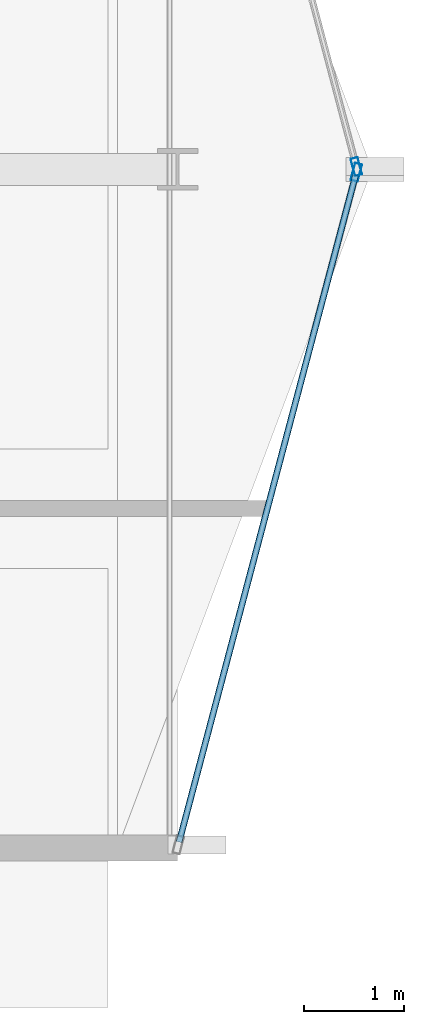
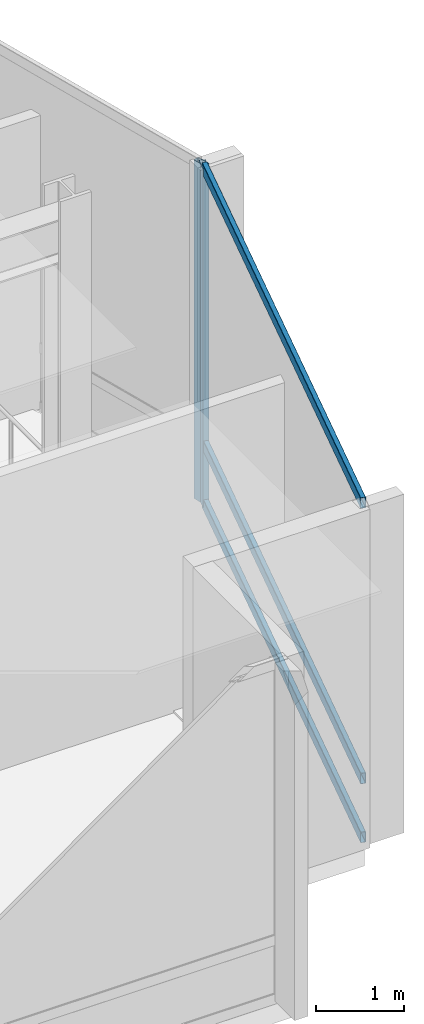
# One storey, part 12 of 29: 5 members, 2 elements without a shape of their own.
"""IFC4 building model written with IfcOpenShell, lengths in metres."""

from ifc_helpers import new_model, si_unit, direction, frame, origin, origin_2d, place, context, subcontext, project, spatial, hollow_rectangle, extrude, material, layer, layer_set, material_profile, profile_set, type_object, element, aggregate, save


model = new_model("IFC4")

# Units and contexts
model_context = context("Model", 3, precision=1e-05, world=origin(), true_north=direction((0.0, 1.0)))
body_context = subcontext(model_context, "Body", "Model", "MODEL_VIEW")
ifc_project = project(units=[si_unit("LENGTHUNIT", "METRE"), si_unit("AREAUNIT", "SQUARE_METRE"), si_unit("VOLUMEUNIT", "CUBIC_METRE"), si_unit("PLANEANGLEUNIT", "RADIAN"), si_unit("MASSUNIT", "GRAM", prefix="KILO")], contexts=[model_context])

# Site, building, storey
site_placement = place(None, origin())
site = spatial("IfcSite", under=ifc_project, at=site_placement, CompositionType="ELEMENT")
building_placement = place(site_placement, origin())
building = spatial("IfcBuilding", under=site, at=building_placement, Name="Solvaryn Broadcast Tower", CompositionType="ELEMENT")
storey_placement = place(building_placement, frame((0.0, 0.0, 169.199951171875)))
storey = spatial("IfcBuildingStorey", under=building, at=storey_placement, Name="L42", CompositionType="ELEMENT", Elevation=169.199951171875)

# Curtain wall, member
ifc_material_1 = material(Name="Aluminium and Terracotta Unitised Curtain Wall", Category="masonry")
ifc_layer = layer(ifc_material_1, 0.25)
ifc_layer_set = layer_set([ifc_layer], Name="CW-SYS4-SKYGARDEN")
curtain_wall_type = type_object("IfcCurtainWallType", Name="CW-SYS4-SKYGARDEN", PredefinedType="NOTDEFINED", material=ifc_layer_set)
curtain_wall_1_placement = place(storey_placement, origin())
curtain_wall_1 = element("IfcCurtainWall", 1, at=curtain_wall_1_placement, inside=storey, type_object=curtain_wall_type, Name="L42 Curtain Wall ET1", PredefinedType="NOTDEFINED")
ifc_material_2 = material(Name="Anodised Aluminium 6063-T6", Category="aluminium")
ifc_material_profile_1 = material_profile(ifc_material_2, hollow_rectangle(XDim=0.074951171875, YDim=0.179931640625, WallThickness=0.00390625, InnerFilletRadius=0.00390625, OuterFilletRadius=0.008056640625, at=origin_2d()))
ifc_profile_set_1 = profile_set([ifc_material_profile_1], Name="Anodised Aluminium 6063-T6")
member_type_1 = type_object("IfcMemberType", Name="CW-MUL-180", PredefinedType="MULLION", material=ifc_profile_set_1)
member_1_placement = place(storey_placement, frame((55.792236328125, 18.029052734375, 0.0), z_axis=(0.0, 0.0, 1.0), x_axis=(0.966705227863, 0.25589256031, 0.0)))
member_1 = element("IfcMember", 2, at=member_1_placement, type_object=member_type_1, Name="CWS4 mullion 2", PredefinedType="MULLION", context=body_context, shape_type="SweptSolid", body=[
    extrude(hollow_rectangle(XDim=0.074951171875, YDim=0.179931640625, WallThickness=0.00390625, InnerFilletRadius=0.00390625, OuterFilletRadius=0.008056640625, at=origin_2d()), origin(), (0.0, 0.0, 1.0), 4.719970703125),
])
aggregate(curtain_wall_1, [member_1])

# Curtain wall, members
curtain_wall_2_placement = place(storey_placement, origin())
curtain_wall_2 = element("IfcCurtainWall", 3, at=curtain_wall_2_placement, inside=storey, type_object=curtain_wall_type, Name="L42 Curtain Wall ET2", PredefinedType="NOTDEFINED")
member_2_placement = place(storey_placement, frame((55.792236328125, 17.970947265625, 0.0), z_axis=(0.0, 0.0, 1.0), x_axis=(0.966705227863, -0.25589256031, 0.0)))
member_2 = element("IfcMember", 4, at=member_2_placement, type_object=member_type_1, Name="CWS4 mullion 1", PredefinedType="MULLION", context=body_context, shape_type="SweptSolid", body=[
    extrude(hollow_rectangle(XDim=0.074951171875, YDim=0.179931640625, WallThickness=0.00390625, InnerFilletRadius=0.00390625, OuterFilletRadius=0.008056640625, at=origin_2d()), origin(), (0.0, 0.0, 1.0), 4.719970703125),
])
ifc_material_3 = material(Name="Anodised Aluminium 6063-T6", Category="aluminium")
ifc_material_profile_2 = material_profile(ifc_material_3, hollow_rectangle(XDim=0.06494140625, YDim=0.14990234375, WallThickness=0.00390625, InnerFilletRadius=0.00390625, OuterFilletRadius=0.008056640625, at=origin_2d()))
ifc_profile_set_2 = profile_set([ifc_material_profile_2], Name="Anodised Aluminium 6063-T6")
member_type_2 = type_object("IfcMemberType", Name="CW-TRN-150", PredefinedType="USERDEFINED", material=ifc_profile_set_2)
member_3_placement = place(storey_placement, frame((55.78466796875, 17.94189453125, 0.030029296875), z_axis=(-0.255897413051, -0.966703943301, 0.0), x_axis=(0.966703943301, -0.255897413051, 0.0)))
member_3 = element("IfcMember", 5, at=member_3_placement, type_object=member_type_2, Name="CWS4 transom 1.1", ObjectType="TRANSOM", PredefinedType="USERDEFINED", context=body_context, shape_type="SweptSolid", body=[
    extrude(hollow_rectangle(XDim=0.06494140625, YDim=0.14990234375, WallThickness=0.00390625, InnerFilletRadius=0.00390625, OuterFilletRadius=0.008056640625, at=origin_2d()), origin(), (0.0, 0.0, 1.0), 6.9140625),
])
member_4_placement = place(storey_placement, frame((55.78466796875, 17.94189453125, 0.85009765625), z_axis=(-0.255897413051, -0.966703943301, 0.0), x_axis=(0.966703943301, -0.255897413051, 0.0)))
member_4 = element("IfcMember", 6, at=member_4_placement, type_object=member_type_2, Name="CWS4 transom 1.2", ObjectType="TRANSOM", PredefinedType="USERDEFINED", context=body_context, shape_type="SweptSolid", body=[
    extrude(hollow_rectangle(XDim=0.06494140625, YDim=0.14990234375, WallThickness=0.00390625, InnerFilletRadius=0.00390625, OuterFilletRadius=0.008056640625, at=origin_2d()), origin(), (0.0, 0.0, 1.0), 6.9140625),
])
member_5_placement = place(storey_placement, frame((55.78466796875, 17.94189453125, 4.68994140625), z_axis=(-0.255897413051, -0.966703943301, 0.0), x_axis=(0.966703943301, -0.255897413051, 0.0)))
member_5 = element("IfcMember", 7, at=member_5_placement, type_object=member_type_2, Name="CWS4 transom 1.3", ObjectType="TRANSOM", PredefinedType="USERDEFINED", context=body_context, shape_type="SweptSolid", body=[
    extrude(hollow_rectangle(XDim=0.06494140625, YDim=0.14990234375, WallThickness=0.00390625, InnerFilletRadius=0.00390625, OuterFilletRadius=0.008056640625, at=origin_2d()), origin(), (0.0, 0.0, 1.0), 6.9140625),
])
aggregate(curtain_wall_2, [member_2, member_3, member_4, member_5])

save(model, "model.ifc")
